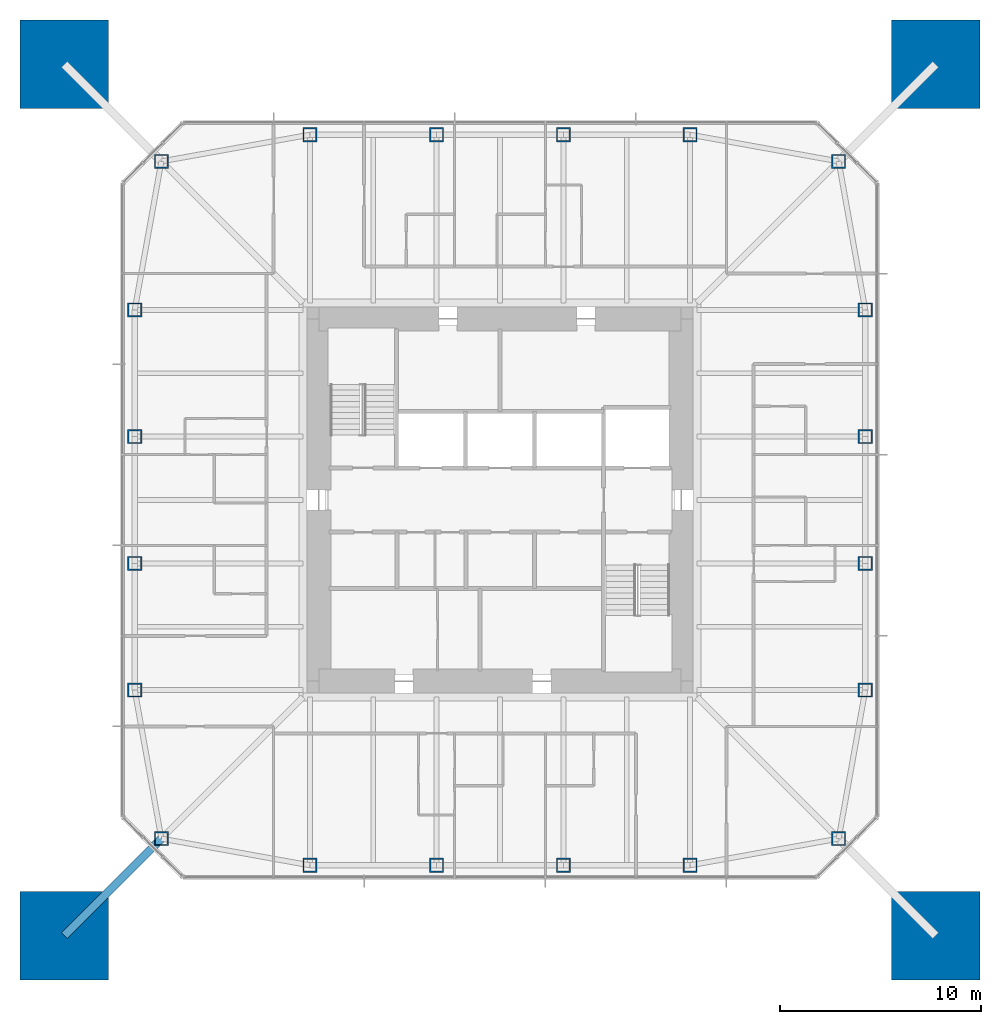
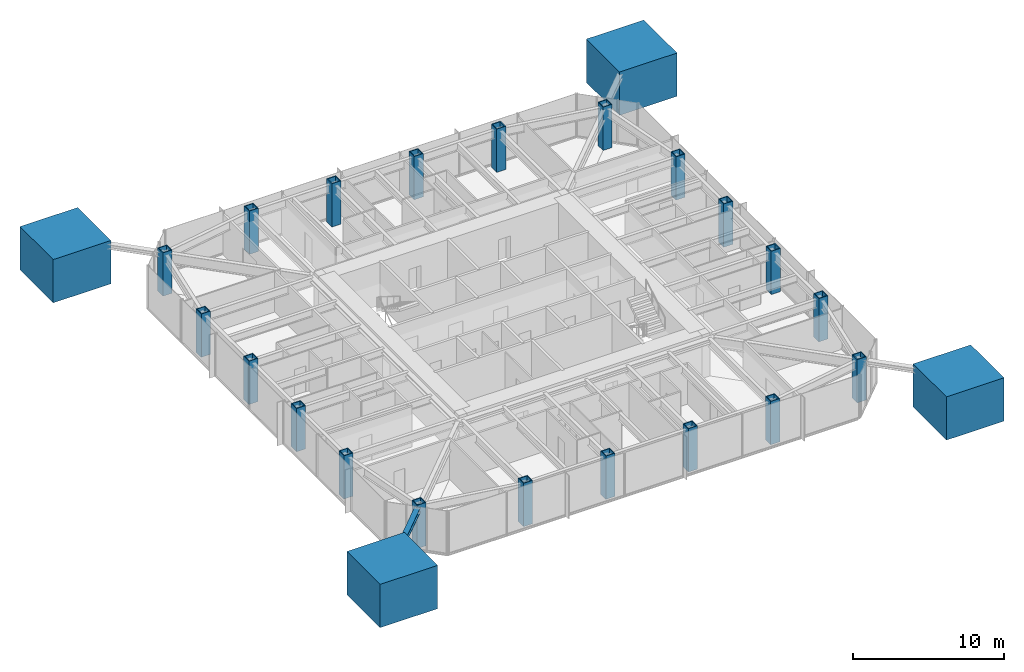
# One storey, part 1 of 11: 24 columns, 1 member.
"""IFC4 building model written with IfcOpenShell, lengths in metres."""

from ifc_helpers import new_model, si_unit, direction, frame, origin, origin_2d, place, context, subcontext, project, spatial, rectangle, hollow_rectangle, i_section, extrude, material, material_profile, profile_set, type_object, element, save


model = new_model("IFC4")

# Units and contexts
model_context = context("Model", 3, precision=1e-05, world=origin(), true_north=direction((0.0, 1.0)))
body_context = subcontext(model_context, "Body", "Model", "MODEL_VIEW")
ifc_project = project(units=[si_unit("LENGTHUNIT", "METRE"), si_unit("AREAUNIT", "SQUARE_METRE"), si_unit("VOLUMEUNIT", "CUBIC_METRE"), si_unit("PLANEANGLEUNIT", "RADIAN"), si_unit("MASSUNIT", "GRAM", prefix="KILO")], contexts=[model_context])

# Site, building, storey
site_placement = place(None, origin())
site = spatial("IfcSite", under=ifc_project, at=site_placement, CompositionType="ELEMENT")
building_placement = place(site_placement, origin())
building = spatial("IfcBuilding", under=site, at=building_placement, Name="Iwan Alto Co-Living Towers", CompositionType="ELEMENT")
storey_placement = place(building_placement, frame((0.0, 0.0, 163.5)))
storey = spatial("IfcBuildingStorey", under=building, at=storey_placement, Name="L44", CompositionType="ELEMENT", Elevation=163.5)

# Columns
ifc_material_1 = material(Name="Concrete f'c 70 MPa", Category="concrete")
ifc_material_profile_1 = material_profile(ifc_material_1, rectangle(XDim=4.39990234375, YDim=4.39990234375, at=origin_2d()), Name="RC 4400X4400")
ifc_profile_set_1 = profile_set([ifc_material_profile_1], Name="Concrete f'c 70 MPa")
column_type_1 = type_object("IfcColumnType", Name="T1 MEGA COLUMN RC 4400X4400", PredefinedType="COLUMN", material=ifc_profile_set_1)
for number, where, z_axis, x_axis, name in (
    (1, (-21.64990234375, -21.64990234375, 0.0), (0.0, 0.0, 1.0), (1.0, 0.0, 0.0), "T1 mega column SW L44"),
    (2, (21.64990234375, -21.64990234375, 0.0), (0.0, 0.0, 1.0), (1.0, 0.0, 0.0), "T1 mega column SE L44"),
    (3, (21.64990234375, 21.64990234375, 0.0), (0.0, 0.0, 1.0), (1.0, 0.0, 0.0), "T1 mega column NE L44"),
    (4, (-21.64990234375, 21.64990234375, 0.0), (0.0, 0.0, 1.0), (1.0, 0.0, 0.0), "T1 mega column NW L44"),
):
    element("IfcColumn", number, at=place(storey_placement, frame(where, z_axis=z_axis, x_axis=x_axis)), inside=storey, type_object=column_type_1, Name=name, PredefinedType="COLUMN", context=body_context, shape_type="SweptSolid", body=[
        extrude(rectangle(XDim=4.39990234375, YDim=4.39990234375, at=origin_2d()), origin(), (0.0, 0.0, 1.0), 3.5),
        extrude(i_section(OverallWidth=0.4775390625, OverallDepth=0.599365234375, WebThickness=0.10009765625, FlangeThickness=0.139892578125, at=origin_2d()), origin(), (0.0, 0.0, 1.0), 3.5),
    ])
ifc_material_2 = material(Name="Steel ASTM A572 Gr 50", Category="steel")
ifc_material_profile_2 = material_profile(ifc_material_2, hollow_rectangle(XDim=0.699951171875, YDim=0.699951171875, WallThickness=0.06005859375, at=origin_2d()), Name="BOX 700X700X60")
ifc_profile_set_2 = profile_set([ifc_material_profile_2], Name="Steel ASTM A572 Gr 50")
column_type_2 = type_object("IfcColumnType", Name="T1 RING COLUMN BOX 700X700X60", PredefinedType="COLUMN", material=ifc_profile_set_2)
for number, where, z_axis, x_axis, name in (
    (5, (-16.82568359375, -16.82568359375, 0.0), (0.0, 0.0, 1.0), (1.0, 0.0, 0.0), "T1 ring column CSW L44"),
    (6, (-9.449951171875, -18.14990234375, 0.0), (0.0, 0.0, 1.0), (1.0, 0.0, 0.0), "T1 ring column S1 L44"),
    (7, (-3.14990234375, -18.14990234375, 0.0), (0.0, 0.0, 1.0), (1.0, 0.0, 0.0), "T1 ring column S2 L44"),
    (8, (3.14990234375, -18.14990234375, 0.0), (0.0, 0.0, 1.0), (1.0, 0.0, 0.0), "T1 ring column S3 L44"),
    (9, (9.449951171875, -18.14990234375, 0.0), (0.0, 0.0, 1.0), (1.0, 0.0, 0.0), "T1 ring column S4 L44"),
    (10, (16.82568359375, -16.82568359375, 0.0), (0.0, 0.0, 1.0), (1.0, 0.0, 0.0), "T1 ring column CSE L44"),
    (11, (18.14990234375, -9.449951171875, 0.0), (0.0, 0.0, 1.0), (1.0, 0.0, 0.0), "T1 ring column E1 L44"),
    (12, (18.14990234375, -3.14990234375, 0.0), (0.0, 0.0, 1.0), (1.0, 0.0, 0.0), "T1 ring column E2 L44"),
    (13, (18.14990234375, 3.14990234375, 0.0), (0.0, 0.0, 1.0), (1.0, 0.0, 0.0), "T1 ring column E3 L44"),
    (14, (18.14990234375, 9.449951171875, 0.0), (0.0, 0.0, 1.0), (1.0, 0.0, 0.0), "T1 ring column E4 L44"),
    (15, (16.82568359375, 16.82568359375, 0.0), (0.0, 0.0, 1.0), (1.0, 0.0, 0.0), "T1 ring column CNE L44"),
    (16, (9.449951171875, 18.14990234375, 0.0), (0.0, 0.0, 1.0), (1.0, 0.0, 0.0), "T1 ring column N1 L44"),
    (17, (3.14990234375, 18.14990234375, 0.0), (0.0, 0.0, 1.0), (1.0, 0.0, 0.0), "T1 ring column N2 L44"),
    (18, (-3.14990234375, 18.14990234375, 0.0), (0.0, 0.0, 1.0), (1.0, 0.0, 0.0), "T1 ring column N3 L44"),
    (19, (-9.449951171875, 18.14990234375, 0.0), (0.0, 0.0, 1.0), (1.0, 0.0, 0.0), "T1 ring column N4 L44"),
    (20, (-16.82568359375, 16.82568359375, 0.0), (0.0, 0.0, 1.0), (1.0, 0.0, 0.0), "T1 ring column CNW L44"),
    (21, (-18.14990234375, 9.449951171875, 0.0), (0.0, 0.0, 1.0), (1.0, 0.0, 0.0), "T1 ring column W1 L44"),
    (22, (-18.14990234375, 3.14990234375, 0.0), (0.0, 0.0, 1.0), (1.0, 0.0, 0.0), "T1 ring column W2 L44"),
    (23, (-18.14990234375, -3.14990234375, 0.0), (0.0, 0.0, 1.0), (1.0, 0.0, 0.0), "T1 ring column W3 L44"),
    (24, (-18.14990234375, -9.449951171875, 0.0), (0.0, 0.0, 1.0), (1.0, 0.0, 0.0), "T1 ring column W4 L44"),
):
    element("IfcColumn", number, at=place(storey_placement, frame(where, z_axis=z_axis, x_axis=x_axis)), inside=storey, type_object=column_type_2, Name=name, PredefinedType="COLUMN", context=body_context, shape_type="SweptSolid", body=[
        extrude(hollow_rectangle(XDim=0.699951171875, YDim=0.699951171875, WallThickness=0.06005859375, at=origin_2d()), origin(), (0.0, 0.0, 1.0), 3.5),
    ])

# Member
ifc_material_3 = material(Name="Steel ASTM A992 Gr 50", Category="steel")
ifc_material_profile_3 = material_profile(ifc_material_3, i_section(OverallWidth=0.393798828125, OverallDepth=0.3759765625, WebThickness=0.017333984375, FlangeThickness=0.027587890625, at=origin_2d()), Name="W14X145")
ifc_profile_set_3 = profile_set([ifc_material_profile_3], Name="Steel ASTM A992 Gr 50")
member_type = type_object("IfcMemberType", Name="T1 MEGA COLUMN FLOOR TIE W14X145", PredefinedType="STRUT", material=ifc_profile_set_3)
member_placement = place(storey_placement, frame((-21.64990234375, -21.64990234375, 3.08203125), z_axis=(0.707106781187, 0.707106781187, 0.0), x_axis=(-0.707106781187, 0.707106781187, 0.0)))
element("IfcMember", 25, at=member_placement, inside=storey, type_object=member_type, Name="T1 mega column floor tie SW L45", PredefinedType="STRUT", context=body_context, shape_type="SweptSolid", body=[
    extrude(i_section(OverallWidth=0.393798828125, OverallDepth=0.3759765625, WebThickness=0.017333984375, FlangeThickness=0.027587890625, at=origin_2d()), origin(), (0.0, 0.0, 1.0), 6.822509765625),
])

save(model, "model.ifc")
